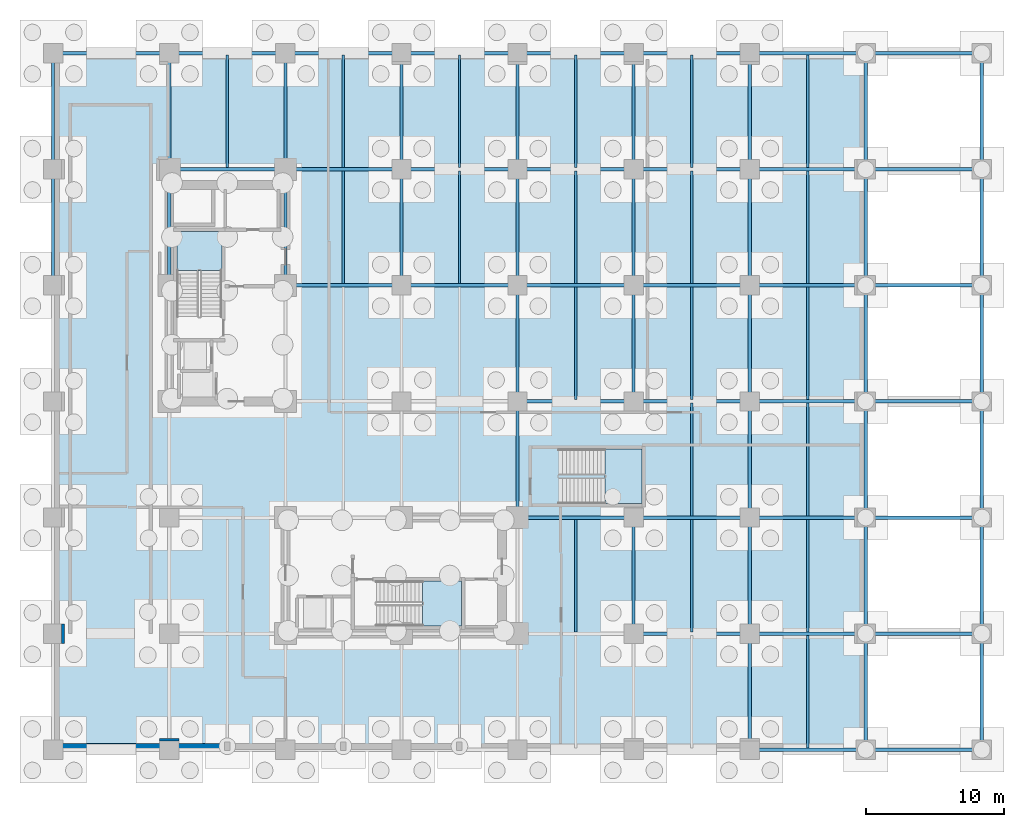
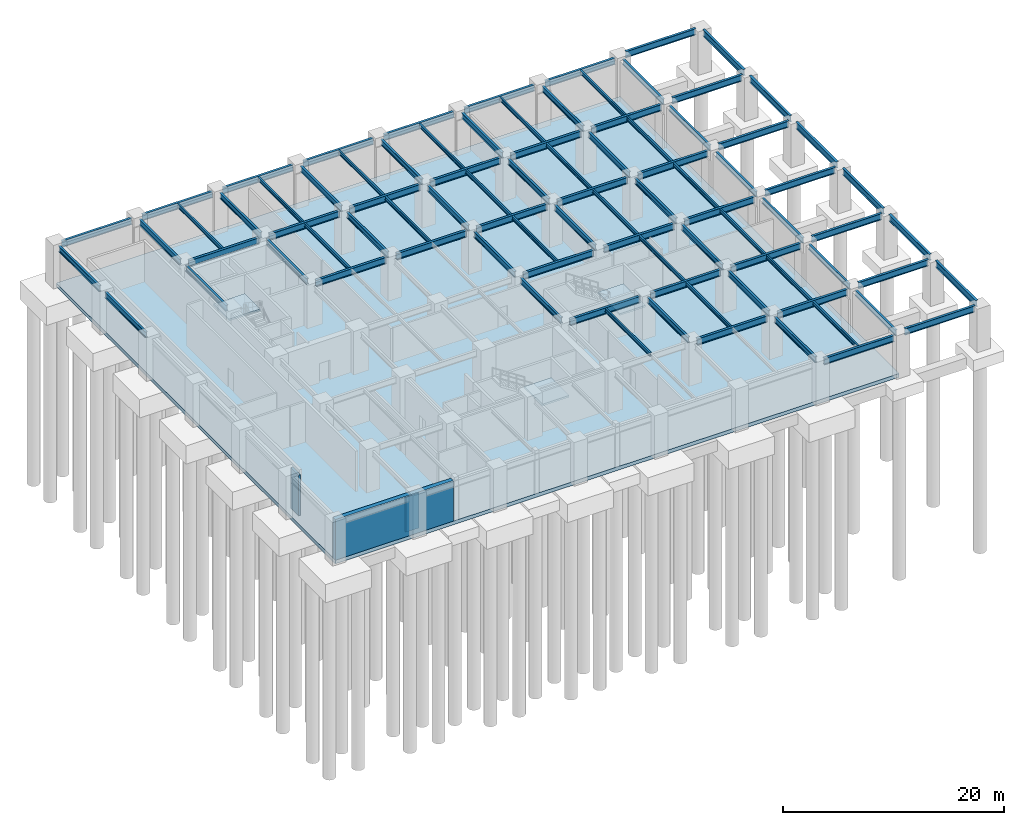
# One storey, part 4 of 9: 88 beams, 4 slabs, 3 walls, 3 elements without a shape of their own.
"""IFC4 building model written with IfcOpenShell, lengths in metres."""

from ifc_helpers import new_model, si_unit, direction, frame, frame_2d, origin, origin_2d, place, context, subcontext, project, spatial, polyline, rectangle, i_section, outline, extrude, material, layer, layer_set, material_profile, profile_set, type_object, element, aggregate, save


model = new_model("IFC4")

# Units and contexts
model_context = context("Model", 3, precision=1e-05, world=origin(), true_north=direction((0.0, 1.0)))
body_context = subcontext(model_context, "Body", "Model", "MODEL_VIEW")
ifc_project = project(units=[si_unit("LENGTHUNIT", "METRE"), si_unit("AREAUNIT", "SQUARE_METRE"), si_unit("VOLUMEUNIT", "CUBIC_METRE"), si_unit("PLANEANGLEUNIT", "RADIAN"), si_unit("MASSUNIT", "GRAM", prefix="KILO")], contexts=[model_context])

# Site, building, storey
site_placement = place(None, origin())
site = spatial("IfcSite", under=ifc_project, at=site_placement, CompositionType="ELEMENT")
building_placement = place(site_placement, origin())
building = spatial("IfcBuilding", under=site, at=building_placement, Name="Nerrivon Quay Data Exchange", CompositionType="ELEMENT")
storey_placement = place(building_placement, frame((0.0, 0.0, -9.60009765625)))
storey = spatial("IfcBuildingStorey", under=building, at=storey_placement, Name="B02", CompositionType="ELEMENT", Elevation=-9.60009765625)

# Beams
ifc_material_1 = material(Name="Steel Grade 350", Category="steel")
ifc_material_profile_1 = material_profile(ifc_material_1, i_section(OverallWidth=0.22900390625, OverallDepth=0.612060546875, WebThickness=0.011962890625, FlangeThickness=0.01953125, FilletRadius=0.013916015625, at=origin_2d()), Name="610UB125")
ifc_profile_set_1 = profile_set([ifc_material_profile_1], Name="Steel Grade 350")
beam_type_1 = type_object("IfcBeamType", Name="BM-G1-610UB125", PredefinedType="BEAM", material=ifc_profile_set_1)
for number, where, z_axis, x_axis, name in (
    (1, (0.0, 34.139892578125, 4.174072265625), (0.0, 1.0, 0.0), (-1.0, 0.0, 0.0), "B02 NS Girder X=0.0 (33.6..42.0)"),
    (2, (0.0, 42.5400390625, 4.174072265625), (0.0, 1.0, 0.0), (-1.0, 0.0, 0.0), "B02 NS Girder X=0.0 (42.0..50.4)"),
    (3, (8.39990234375, 34.139892578125, 4.174072265625), (0.0, 1.0, 0.0), (-1.0, 0.0, 0.0), "B02 NS Girder X=8.4 (33.6..42.0)"),
    (4, (8.39990234375, 42.5400390625, 4.174072265625), (0.0, 1.0, 0.0), (-1.0, 0.0, 0.0), "B02 NS Girder X=8.4 (42.0..50.4)"),
    (5, (16.800048828125, 34.139892578125, 4.174072265625), (0.0, 1.0, 0.0), (-1.0, 0.0, 0.0), "B02 NS Girder X=16.8 (33.6..42.0)"),
    (6, (16.800048828125, 42.5400390625, 4.174072265625), (0.0, 1.0, 0.0), (-1.0, 0.0, 0.0), "B02 NS Girder X=16.8 (42.0..50.4)"),
    (7, (25.199951171875, 34.139892578125, 4.174072265625), (0.0, 1.0, 0.0), (-1.0, 0.0, 0.0), "B02 NS Girder X=25.2 (33.6..42.0)"),
    (8, (25.199951171875, 42.5400390625, 4.174072265625), (0.0, 1.0, 0.0), (-1.0, 0.0, 0.0), "B02 NS Girder X=25.2 (42.0..50.4)"),
):
    element("IfcBeam", number, at=place(storey_placement, frame(where, z_axis=z_axis, x_axis=x_axis)), inside=storey, type_object=beam_type_1, Name=name, PredefinedType="BEAM", context=body_context, shape_type="SweptSolid", body=[
        extrude(i_section(OverallWidth=0.22900390625, OverallDepth=0.612060546875, WebThickness=0.011962890625, FlangeThickness=0.01953125, FilletRadius=0.013916015625, at=origin_2d()), origin(), (0.0, 0.0, 1.0), 7.320068359375),
    ])
beam_1_placement = place(storey_placement, frame((33.60009765625, 17.340087890625, 4.174072265625), z_axis=(0.0, 1.0, 0.0), x_axis=(-1.0, 0.0, 0.0)))
element("IfcBeam", 9, at=beam_1_placement, inside=storey, type_object=beam_type_1, Name="B02 NS Girder X=33.6 (16.8..25.2)", PredefinedType="BEAM", context=body_context, shape_type="SweptSolid", body=[
    extrude(i_section(OverallWidth=0.22900390625, OverallDepth=0.612060546875, WebThickness=0.011962890625, FlangeThickness=0.01953125, FilletRadius=0.013916015625, at=origin_2d()), origin(), (0.0, 0.0, 1.0), 7.31982421875),
])
for number, where, z_axis, x_axis, name in (
    (10, (33.60009765625, 25.739990234375, 4.174072265625), (0.0, 1.0, 0.0), (-1.0, 0.0, 0.0), "B02 NS Girder X=33.6 (25.2..33.6)"),
    (11, (33.60009765625, 34.139892578125, 4.174072265625), (0.0, 1.0, 0.0), (-1.0, 0.0, 0.0), "B02 NS Girder X=33.6 (33.6..42.0)"),
    (12, (33.60009765625, 42.5400390625, 4.174072265625), (0.0, 1.0, 0.0), (-1.0, 0.0, 0.0), "B02 NS Girder X=33.6 (42.0..50.4)"),
    (13, (42.0, 8.93994140625, 4.174072265625), (0.0, 1.0, 0.0), (-1.0, 0.0, 0.0), "B02 NS Girder X=42.0 (8.4..16.8)"),
    (14, (42.0, 25.739990234375, 4.174072265625), (0.0, 1.0, 0.0), (-1.0, 0.0, 0.0), "B02 NS Girder X=42.0 (25.2..33.6)"),
    (15, (42.0, 34.139892578125, 4.174072265625), (0.0, 1.0, 0.0), (-1.0, 0.0, 0.0), "B02 NS Girder X=42.0 (33.6..42.0)"),
    (16, (42.0, 42.5400390625, 4.174072265625), (0.0, 1.0, 0.0), (-1.0, 0.0, 0.0), "B02 NS Girder X=42.0 (42.0..50.4)"),
    (17, (50.39990234375, 0.5400390625, 4.174072265625), (0.0, 1.0, 0.0), (-1.0, 0.0, 0.0), "B02 NS Girder X=50.4 (0.0..8.4)"),
    (18, (50.39990234375, 8.93994140625, 4.174072265625), (0.0, 1.0, 0.0), (-1.0, 0.0, 0.0), "B02 NS Girder X=50.4 (8.4..16.8)"),
):
    element("IfcBeam", number, at=place(storey_placement, frame(where, z_axis=z_axis, x_axis=x_axis)), inside=storey, type_object=beam_type_1, Name=name, PredefinedType="BEAM", context=body_context, shape_type="SweptSolid", body=[
        extrude(i_section(OverallWidth=0.22900390625, OverallDepth=0.612060546875, WebThickness=0.011962890625, FlangeThickness=0.01953125, FilletRadius=0.013916015625, at=origin_2d()), origin(), (0.0, 0.0, 1.0), 7.320068359375),
    ])
beam_2_placement = place(storey_placement, frame((50.39990234375, 17.340087890625, 4.174072265625), z_axis=(0.0, 1.0, 0.0), x_axis=(-1.0, 0.0, 0.0)))
element("IfcBeam", 19, at=beam_2_placement, inside=storey, type_object=beam_type_1, Name="B02 NS Girder X=50.4 (16.8..25.2)", PredefinedType="BEAM", context=body_context, shape_type="SweptSolid", body=[
    extrude(i_section(OverallWidth=0.22900390625, OverallDepth=0.612060546875, WebThickness=0.011962890625, FlangeThickness=0.01953125, FilletRadius=0.013916015625, at=origin_2d()), origin(), (0.0, 0.0, 1.0), 7.31982421875),
])
for number, where, z_axis, x_axis, name in (
    (20, (50.39990234375, 25.739990234375, 4.174072265625), (0.0, 1.0, 0.0), (-1.0, 0.0, 0.0), "B02 NS Girder X=50.4 (25.2..33.6)"),
    (21, (50.39990234375, 34.139892578125, 4.174072265625), (0.0, 1.0, 0.0), (-1.0, 0.0, 0.0), "B02 NS Girder X=50.4 (33.6..42.0)"),
    (22, (50.39990234375, 42.5400390625, 4.174072265625), (0.0, 1.0, 0.0), (-1.0, 0.0, 0.0), "B02 NS Girder X=50.4 (42.0..50.4)"),
    (23, (58.800048828125, 0.5400390625, 4.174072265625), (0.0, 1.0, 0.0), (-1.0, 0.0, 0.0), "B02 NS Girder X=58.8 (0.0..8.4)"),
    (24, (58.800048828125, 8.93994140625, 4.174072265625), (0.0, 1.0, 0.0), (-1.0, 0.0, 0.0), "B02 NS Girder X=58.8 (8.4..16.8)"),
):
    element("IfcBeam", number, at=place(storey_placement, frame(where, z_axis=z_axis, x_axis=x_axis)), inside=storey, type_object=beam_type_1, Name=name, PredefinedType="BEAM", context=body_context, shape_type="SweptSolid", body=[
        extrude(i_section(OverallWidth=0.22900390625, OverallDepth=0.612060546875, WebThickness=0.011962890625, FlangeThickness=0.01953125, FilletRadius=0.013916015625, at=origin_2d()), origin(), (0.0, 0.0, 1.0), 7.320068359375),
    ])
beam_3_placement = place(storey_placement, frame((58.800048828125, 17.340087890625, 4.174072265625), z_axis=(0.0, 1.0, 0.0), x_axis=(-1.0, 0.0, 0.0)))
element("IfcBeam", 25, at=beam_3_placement, inside=storey, type_object=beam_type_1, Name="B02 NS Girder X=58.8 (16.8..25.2)", PredefinedType="BEAM", context=body_context, shape_type="SweptSolid", body=[
    extrude(i_section(OverallWidth=0.22900390625, OverallDepth=0.612060546875, WebThickness=0.011962890625, FlangeThickness=0.01953125, FilletRadius=0.013916015625, at=origin_2d()), origin(), (0.0, 0.0, 1.0), 7.31982421875),
])
for number, where, z_axis, x_axis, name in (
    (26, (58.800048828125, 25.739990234375, 4.174072265625), (0.0, 1.0, 0.0), (-1.0, 0.0, 0.0), "B02 NS Girder X=58.8 (25.2..33.6)"),
    (27, (58.800048828125, 34.139892578125, 4.174072265625), (0.0, 1.0, 0.0), (-1.0, 0.0, 0.0), "B02 NS Girder X=58.8 (33.6..42.0)"),
    (28, (58.800048828125, 42.5400390625, 4.174072265625), (0.0, 1.0, 0.0), (-1.0, 0.0, 0.0), "B02 NS Girder X=58.8 (42.0..50.4)"),
):
    element("IfcBeam", number, at=place(storey_placement, frame(where, z_axis=z_axis, x_axis=x_axis)), inside=storey, type_object=beam_type_1, Name=name, PredefinedType="BEAM", context=body_context, shape_type="SweptSolid", body=[
        extrude(i_section(OverallWidth=0.22900390625, OverallDepth=0.612060546875, WebThickness=0.011962890625, FlangeThickness=0.01953125, FilletRadius=0.013916015625, at=origin_2d()), origin(), (0.0, 0.0, 1.0), 7.320068359375),
    ])
ifc_material_profile_2 = material_profile(ifc_material_1, i_section(OverallWidth=0.25, OverallDepth=0.699951171875, WebThickness=0.010009765625, FlangeThickness=0.02001953125, at=origin_2d()), Name="700WB130")
ifc_profile_set_2 = profile_set([ifc_material_profile_2], Name="Steel Grade 350")
beam_type_2 = type_object("IfcBeamType", Name="BM-G7-700WB130", PredefinedType="BEAM", material=ifc_profile_set_2)
for number, where, z_axis, x_axis, name in (
    (29, (50.93994140625, 0.0, 4.130126953125), (1.0, 0.0, 0.0), (0.0, 1.0, 0.0), "B02 EW Girder Y=0.0 (50.4..58.8)"),
    (30, (42.5400390625, 8.39990234375, 4.130126953125), (1.0, 0.0, 0.0), (0.0, 1.0, 0.0), "B02 EW Girder Y=8.4 (42.0..50.4)"),
    (31, (50.93994140625, 8.39990234375, 4.130126953125), (1.0, 0.0, 0.0), (0.0, 1.0, 0.0), "B02 EW Girder Y=8.4 (50.4..58.8)"),
    (32, (34.139892578125, 16.800048828125, 4.130126953125), (1.0, 0.0, 0.0), (0.0, 1.0, 0.0), "B02 EW Girder Y=16.8 (33.6..42.0)"),
    (33, (42.5400390625, 16.800048828125, 4.130126953125), (1.0, 0.0, 0.0), (0.0, 1.0, 0.0), "B02 EW Girder Y=16.8 (42.0..50.4)"),
    (34, (50.93994140625, 16.800048828125, 4.130126953125), (1.0, 0.0, 0.0), (0.0, 1.0, 0.0), "B02 EW Girder Y=16.8 (50.4..58.8)"),
    (35, (34.139892578125, 25.199951171875, 4.130126953125), (1.0, 0.0, 0.0), (0.0, 1.0, 0.0), "B02 EW Girder Y=25.2 (33.6..42.0)"),
    (36, (42.5400390625, 25.199951171875, 4.130126953125), (1.0, 0.0, 0.0), (0.0, 1.0, 0.0), "B02 EW Girder Y=25.2 (42.0..50.4)"),
    (37, (50.93994140625, 25.199951171875, 4.130126953125), (1.0, 0.0, 0.0), (0.0, 1.0, 0.0), "B02 EW Girder Y=25.2 (50.4..58.8)"),
):
    element("IfcBeam", number, at=place(storey_placement, frame(where, z_axis=z_axis, x_axis=x_axis)), inside=storey, type_object=beam_type_2, Name=name, PredefinedType="BEAM", context=body_context, shape_type="SweptSolid", body=[
        extrude(i_section(OverallWidth=0.25, OverallDepth=0.699951171875, WebThickness=0.010009765625, FlangeThickness=0.02001953125, at=origin_2d()), origin(), (0.0, 0.0, 1.0), 7.320068359375),
    ])
beam_4_placement = place(storey_placement, frame((17.340087890625, 33.60009765625, 4.130126953125), z_axis=(1.0, 0.0, 0.0), x_axis=(0.0, 1.0, 0.0)))
element("IfcBeam", 38, at=beam_4_placement, inside=storey, type_object=beam_type_2, Name="B02 EW Girder Y=33.6 (16.8..25.2)", PredefinedType="BEAM", context=body_context, shape_type="SweptSolid", body=[
    extrude(i_section(OverallWidth=0.25, OverallDepth=0.699951171875, WebThickness=0.010009765625, FlangeThickness=0.02001953125, at=origin_2d()), origin(), (0.0, 0.0, 1.0), 7.31982421875),
])
for number, where, z_axis, x_axis, name in (
    (39, (25.739990234375, 33.60009765625, 4.130126953125), (1.0, 0.0, 0.0), (0.0, 1.0, 0.0), "B02 EW Girder Y=33.6 (25.2..33.6)"),
    (40, (34.139892578125, 33.60009765625, 4.130126953125), (1.0, 0.0, 0.0), (0.0, 1.0, 0.0), "B02 EW Girder Y=33.6 (33.6..42.0)"),
    (41, (42.5400390625, 33.60009765625, 4.130126953125), (1.0, 0.0, 0.0), (0.0, 1.0, 0.0), "B02 EW Girder Y=33.6 (42.0..50.4)"),
    (42, (50.93994140625, 33.60009765625, 4.130126953125), (1.0, 0.0, 0.0), (0.0, 1.0, 0.0), "B02 EW Girder Y=33.6 (50.4..58.8)"),
    (43, (8.93994140625, 42.0, 4.130126953125), (1.0, 0.0, 0.0), (0.0, 1.0, 0.0), "B02 EW Girder Y=42.0 (8.4..16.8)"),
):
    element("IfcBeam", number, at=place(storey_placement, frame(where, z_axis=z_axis, x_axis=x_axis)), inside=storey, type_object=beam_type_2, Name=name, PredefinedType="BEAM", context=body_context, shape_type="SweptSolid", body=[
        extrude(i_section(OverallWidth=0.25, OverallDepth=0.699951171875, WebThickness=0.010009765625, FlangeThickness=0.02001953125, at=origin_2d()), origin(), (0.0, 0.0, 1.0), 7.320068359375),
    ])
beam_5_placement = place(storey_placement, frame((17.340087890625, 42.0, 4.130126953125), z_axis=(1.0, 0.0, 0.0), x_axis=(0.0, 1.0, 0.0)))
element("IfcBeam", 44, at=beam_5_placement, inside=storey, type_object=beam_type_2, Name="B02 EW Girder Y=42.0 (16.8..25.2)", PredefinedType="BEAM", context=body_context, shape_type="SweptSolid", body=[
    extrude(i_section(OverallWidth=0.25, OverallDepth=0.699951171875, WebThickness=0.010009765625, FlangeThickness=0.02001953125, at=origin_2d()), origin(), (0.0, 0.0, 1.0), 7.31982421875),
])
for number, where, z_axis, x_axis, name in (
    (45, (25.739990234375, 42.0, 4.130126953125), (1.0, 0.0, 0.0), (0.0, 1.0, 0.0), "B02 EW Girder Y=42.0 (25.2..33.6)"),
    (46, (34.139892578125, 42.0, 4.130126953125), (1.0, 0.0, 0.0), (0.0, 1.0, 0.0), "B02 EW Girder Y=42.0 (33.6..42.0)"),
    (47, (42.5400390625, 42.0, 4.130126953125), (1.0, 0.0, 0.0), (0.0, 1.0, 0.0), "B02 EW Girder Y=42.0 (42.0..50.4)"),
    (48, (50.93994140625, 42.0, 4.130126953125), (1.0, 0.0, 0.0), (0.0, 1.0, 0.0), "B02 EW Girder Y=42.0 (50.4..58.8)"),
    (49, (0.5400390625, 50.39990234375, 4.130126953125), (1.0, 0.0, 0.0), (0.0, 1.0, 0.0), "B02 EW Girder Y=50.4 (0.0..8.4)"),
    (50, (8.93994140625, 50.39990234375, 4.130126953125), (1.0, 0.0, 0.0), (0.0, 1.0, 0.0), "B02 EW Girder Y=50.4 (8.4..16.8)"),
):
    element("IfcBeam", number, at=place(storey_placement, frame(where, z_axis=z_axis, x_axis=x_axis)), inside=storey, type_object=beam_type_2, Name=name, PredefinedType="BEAM", context=body_context, shape_type="SweptSolid", body=[
        extrude(i_section(OverallWidth=0.25, OverallDepth=0.699951171875, WebThickness=0.010009765625, FlangeThickness=0.02001953125, at=origin_2d()), origin(), (0.0, 0.0, 1.0), 7.320068359375),
    ])
beam_6_placement = place(storey_placement, frame((17.340087890625, 50.39990234375, 4.130126953125), z_axis=(1.0, 0.0, 0.0), x_axis=(0.0, 1.0, 0.0)))
element("IfcBeam", 51, at=beam_6_placement, inside=storey, type_object=beam_type_2, Name="B02 EW Girder Y=50.4 (16.8..25.2)", PredefinedType="BEAM", context=body_context, shape_type="SweptSolid", body=[
    extrude(i_section(OverallWidth=0.25, OverallDepth=0.699951171875, WebThickness=0.010009765625, FlangeThickness=0.02001953125, at=origin_2d()), origin(), (0.0, 0.0, 1.0), 7.31982421875),
])
for number, where, z_axis, x_axis, name in (
    (52, (25.739990234375, 50.39990234375, 4.130126953125), (1.0, 0.0, 0.0), (0.0, 1.0, 0.0), "B02 EW Girder Y=50.4 (25.2..33.6)"),
    (53, (34.139892578125, 50.39990234375, 4.130126953125), (1.0, 0.0, 0.0), (0.0, 1.0, 0.0), "B02 EW Girder Y=50.4 (33.6..42.0)"),
    (54, (42.5400390625, 50.39990234375, 4.130126953125), (1.0, 0.0, 0.0), (0.0, 1.0, 0.0), "B02 EW Girder Y=50.4 (42.0..50.4)"),
    (55, (50.93994140625, 50.39990234375, 4.130126953125), (1.0, 0.0, 0.0), (0.0, 1.0, 0.0), "B02 EW Girder Y=50.4 (50.4..58.8)"),
):
    element("IfcBeam", number, at=place(storey_placement, frame(where, z_axis=z_axis, x_axis=x_axis)), inside=storey, type_object=beam_type_2, Name=name, PredefinedType="BEAM", context=body_context, shape_type="SweptSolid", body=[
        extrude(i_section(OverallWidth=0.25, OverallDepth=0.699951171875, WebThickness=0.010009765625, FlangeThickness=0.02001953125, at=origin_2d()), origin(), (0.0, 0.0, 1.0), 7.320068359375),
    ])
for number, where, z_axis, x_axis, name in (
    (56, (59.340087890625, 0.0, 4.4501953125), (1.0, 0.0, 0.0), (0.0, 1.0, 0.0), "B02 Promenade Tie Girder Y=0.0"),
    (57, (59.340087890625, 8.39990234375, 4.4501953125), (1.0, 0.0, 0.0), (0.0, 1.0, 0.0), "B02 Promenade Tie Girder Y=8.4"),
    (58, (59.340087890625, 16.800048828125, 4.4501953125), (1.0, 0.0, 0.0), (0.0, 1.0, 0.0), "B02 Promenade Tie Girder Y=16.8"),
    (59, (59.340087890625, 25.199951171875, 4.4501953125), (1.0, 0.0, 0.0), (0.0, 1.0, 0.0), "B02 Promenade Tie Girder Y=25.2"),
    (60, (59.340087890625, 33.60009765625, 4.4501953125), (1.0, 0.0, 0.0), (0.0, 1.0, 0.0), "B02 Promenade Tie Girder Y=33.6"),
    (61, (59.340087890625, 42.0, 4.4501953125), (1.0, 0.0, 0.0), (0.0, 1.0, 0.0), "B02 Promenade Tie Girder Y=42.0"),
    (62, (59.340087890625, 50.39990234375, 4.4501953125), (1.0, 0.0, 0.0), (0.0, 1.0, 0.0), "B02 Promenade Tie Girder Y=50.4"),
):
    element("IfcBeam", number, at=place(storey_placement, frame(where, z_axis=z_axis, x_axis=x_axis)), inside=storey, type_object=beam_type_2, Name=name, PredefinedType="BEAM", context=body_context, shape_type="SweptSolid", body=[
        extrude(i_section(OverallWidth=0.25, OverallDepth=0.699951171875, WebThickness=0.010009765625, FlangeThickness=0.02001953125, at=origin_2d()), origin(), (0.0, 0.0, 1.0), 7.31982421875),
    ])
for number, where, z_axis, x_axis, name in (
    (63, (67.199951171875, 0.5400390625, 4.4501953125), (0.0, 1.0, 0.0), (-1.0, 0.0, 0.0), "B02 Promenade Edge Girder (0.0..8.4)"),
    (64, (67.199951171875, 8.93994140625, 4.4501953125), (0.0, 1.0, 0.0), (-1.0, 0.0, 0.0), "B02 Promenade Edge Girder (8.4..16.8)"),
):
    element("IfcBeam", number, at=place(storey_placement, frame(where, z_axis=z_axis, x_axis=x_axis)), inside=storey, type_object=beam_type_2, Name=name, PredefinedType="BEAM", context=body_context, shape_type="SweptSolid", body=[
        extrude(i_section(OverallWidth=0.25, OverallDepth=0.699951171875, WebThickness=0.010009765625, FlangeThickness=0.02001953125, at=origin_2d()), origin(), (0.0, 0.0, 1.0), 7.320068359375),
    ])
beam_7_placement = place(storey_placement, frame((67.199951171875, 17.340087890625, 4.4501953125), z_axis=(0.0, 1.0, 0.0), x_axis=(-1.0, 0.0, 0.0)))
element("IfcBeam", 65, at=beam_7_placement, inside=storey, type_object=beam_type_2, Name="B02 Promenade Edge Girder (16.8..25.2)", PredefinedType="BEAM", context=body_context, shape_type="SweptSolid", body=[
    extrude(i_section(OverallWidth=0.25, OverallDepth=0.699951171875, WebThickness=0.010009765625, FlangeThickness=0.02001953125, at=origin_2d()), origin(), (0.0, 0.0, 1.0), 7.31982421875),
])
for number, where, z_axis, x_axis, name in (
    (66, (67.199951171875, 25.739990234375, 4.4501953125), (0.0, 1.0, 0.0), (-1.0, 0.0, 0.0), "B02 Promenade Edge Girder (25.2..33.6)"),
    (67, (67.199951171875, 34.139892578125, 4.4501953125), (0.0, 1.0, 0.0), (-1.0, 0.0, 0.0), "B02 Promenade Edge Girder (33.6..42.0)"),
    (68, (67.199951171875, 42.5400390625, 4.4501953125), (0.0, 1.0, 0.0), (-1.0, 0.0, 0.0), "B02 Promenade Edge Girder (42.0..50.4)"),
):
    element("IfcBeam", number, at=place(storey_placement, frame(where, z_axis=z_axis, x_axis=x_axis)), inside=storey, type_object=beam_type_2, Name=name, PredefinedType="BEAM", context=body_context, shape_type="SweptSolid", body=[
        extrude(i_section(OverallWidth=0.25, OverallDepth=0.699951171875, WebThickness=0.010009765625, FlangeThickness=0.02001953125, at=origin_2d()), origin(), (0.0, 0.0, 1.0), 7.320068359375),
    ])
ifc_material_profile_3 = material_profile(ifc_material_1, i_section(OverallWidth=0.177978515625, OverallDepth=0.406005859375, WebThickness=0.0078125, FlangeThickness=0.0126953125, FilletRadius=0.011474609375, at=origin_2d()), Name="410UB59.7")
ifc_profile_set_3 = profile_set([ifc_material_profile_3], Name="Steel Grade 350")
beam_type_3 = type_object("IfcBeamType", Name="BM-J1-410UB60", PredefinedType="JOIST", material=ifc_profile_set_3)
for number, where, z_axis, x_axis, name in (
    (69, (12.60009765625, 42.125, 4.277099609375), (0.0, 1.0, 0.0), (-1.0, 0.0, 0.0), "B02 Secondary Joist X=12.6 (42.0..50.4)"),
    (70, (21.0, 33.72509765625, 4.277099609375), (0.0, 1.0, 0.0), (-1.0, 0.0, 0.0), "B02 Secondary Joist X=21.0 (33.6..42.0)"),
    (71, (21.0, 42.125, 4.277099609375), (0.0, 1.0, 0.0), (-1.0, 0.0, 0.0), "B02 Secondary Joist X=21.0 (42.0..50.4)"),
    (72, (29.39990234375, 33.72509765625, 4.277099609375), (0.0, 1.0, 0.0), (-1.0, 0.0, 0.0), "B02 Secondary Joist X=29.4 (33.6..42.0)"),
    (73, (29.39990234375, 42.125, 4.277099609375), (0.0, 1.0, 0.0), (-1.0, 0.0, 0.0), "B02 Secondary Joist X=29.4 (42.0..50.4)"),
):
    element("IfcBeam", number, at=place(storey_placement, frame(where, z_axis=z_axis, x_axis=x_axis)), inside=storey, type_object=beam_type_3, Name=name, PredefinedType="JOIST", context=body_context, shape_type="SweptSolid", body=[
        extrude(i_section(OverallWidth=0.177978515625, OverallDepth=0.406005859375, WebThickness=0.0078125, FlangeThickness=0.0126953125, FilletRadius=0.011474609375, at=origin_2d()), origin(), (0.0, 0.0, 1.0), 8.14990234375),
    ])
for number, where, z_axis, x_axis, name in (
    (74, (37.800048828125, 8.52490234375, 4.277099609375), (0.0, 1.0, 0.0), (-1.0, 0.0, 0.0), "B02 Secondary Joist X=37.8 (8.4..16.8)"),
    (75, (37.800048828125, 25.324951171875, 4.277099609375), (0.0, 1.0, 0.0), (-1.0, 0.0, 0.0), "B02 Secondary Joist X=37.8 (25.2..33.6)"),
):
    element("IfcBeam", number, at=place(storey_placement, frame(where, z_axis=z_axis, x_axis=x_axis)), inside=storey, type_object=beam_type_3, Name=name, PredefinedType="JOIST", context=body_context, shape_type="SweptSolid", body=[
        extrude(i_section(OverallWidth=0.177978515625, OverallDepth=0.406005859375, WebThickness=0.0078125, FlangeThickness=0.0126953125, FilletRadius=0.011474609375, at=origin_2d()), origin(), (0.0, 0.0, 1.0), 8.150146484375),
    ])
for number, where, z_axis, x_axis, name in (
    (76, (37.800048828125, 33.72509765625, 4.277099609375), (0.0, 1.0, 0.0), (-1.0, 0.0, 0.0), "B02 Secondary Joist X=37.8 (33.6..42.0)"),
    (77, (37.800048828125, 42.125, 4.277099609375), (0.0, 1.0, 0.0), (-1.0, 0.0, 0.0), "B02 Secondary Joist X=37.8 (42.0..50.4)"),
):
    element("IfcBeam", number, at=place(storey_placement, frame(where, z_axis=z_axis, x_axis=x_axis)), inside=storey, type_object=beam_type_3, Name=name, PredefinedType="JOIST", context=body_context, shape_type="SweptSolid", body=[
        extrude(i_section(OverallWidth=0.177978515625, OverallDepth=0.406005859375, WebThickness=0.0078125, FlangeThickness=0.0126953125, FilletRadius=0.011474609375, at=origin_2d()), origin(), (0.0, 0.0, 1.0), 8.14990234375),
    ])
beam_8_placement = place(storey_placement, frame((46.199951171875, 8.52490234375, 4.277099609375), z_axis=(0.0, 1.0, 0.0), x_axis=(-1.0, 0.0, 0.0)))
element("IfcBeam", 78, at=beam_8_placement, inside=storey, type_object=beam_type_3, Name="B02 Secondary Joist X=46.2 (8.4..16.8)", PredefinedType="JOIST", context=body_context, shape_type="SweptSolid", body=[
    extrude(i_section(OverallWidth=0.177978515625, OverallDepth=0.406005859375, WebThickness=0.0078125, FlangeThickness=0.0126953125, FilletRadius=0.011474609375, at=origin_2d()), origin(), (0.0, 0.0, 1.0), 8.150146484375),
])
beam_9_placement = place(storey_placement, frame((46.199951171875, 16.925048828125, 4.277099609375), z_axis=(0.0, 1.0, 0.0), x_axis=(-1.0, 0.0, 0.0)))
element("IfcBeam", 79, at=beam_9_placement, inside=storey, type_object=beam_type_3, Name="B02 Secondary Joist X=46.2 (16.8..25.2)", PredefinedType="JOIST", context=body_context, shape_type="SweptSolid", body=[
    extrude(i_section(OverallWidth=0.177978515625, OverallDepth=0.406005859375, WebThickness=0.0078125, FlangeThickness=0.0126953125, FilletRadius=0.011474609375, at=origin_2d()), origin(), (0.0, 0.0, 1.0), 8.14990234375),
])
beam_10_placement = place(storey_placement, frame((46.199951171875, 25.324951171875, 4.277099609375), z_axis=(0.0, 1.0, 0.0), x_axis=(-1.0, 0.0, 0.0)))
element("IfcBeam", 80, at=beam_10_placement, inside=storey, type_object=beam_type_3, Name="B02 Secondary Joist X=46.2 (25.2..33.6)", PredefinedType="JOIST", context=body_context, shape_type="SweptSolid", body=[
    extrude(i_section(OverallWidth=0.177978515625, OverallDepth=0.406005859375, WebThickness=0.0078125, FlangeThickness=0.0126953125, FilletRadius=0.011474609375, at=origin_2d()), origin(), (0.0, 0.0, 1.0), 8.150146484375),
])
for number, where, z_axis, x_axis, name in (
    (81, (46.199951171875, 33.72509765625, 4.277099609375), (0.0, 1.0, 0.0), (-1.0, 0.0, 0.0), "B02 Secondary Joist X=46.2 (33.6..42.0)"),
    (82, (46.199951171875, 42.125, 4.277099609375), (0.0, 1.0, 0.0), (-1.0, 0.0, 0.0), "B02 Secondary Joist X=46.2 (42.0..50.4)"),
    (83, (54.60009765625, 0.125, 4.277099609375), (0.0, 1.0, 0.0), (-1.0, 0.0, 0.0), "B02 Secondary Joist X=54.6 (0.0..8.4)"),
):
    element("IfcBeam", number, at=place(storey_placement, frame(where, z_axis=z_axis, x_axis=x_axis)), inside=storey, type_object=beam_type_3, Name=name, PredefinedType="JOIST", context=body_context, shape_type="SweptSolid", body=[
        extrude(i_section(OverallWidth=0.177978515625, OverallDepth=0.406005859375, WebThickness=0.0078125, FlangeThickness=0.0126953125, FilletRadius=0.011474609375, at=origin_2d()), origin(), (0.0, 0.0, 1.0), 8.14990234375),
    ])
beam_11_placement = place(storey_placement, frame((54.60009765625, 8.52490234375, 4.277099609375), z_axis=(0.0, 1.0, 0.0), x_axis=(-1.0, 0.0, 0.0)))
element("IfcBeam", 84, at=beam_11_placement, inside=storey, type_object=beam_type_3, Name="B02 Secondary Joist X=54.6 (8.4..16.8)", PredefinedType="JOIST", context=body_context, shape_type="SweptSolid", body=[
    extrude(i_section(OverallWidth=0.177978515625, OverallDepth=0.406005859375, WebThickness=0.0078125, FlangeThickness=0.0126953125, FilletRadius=0.011474609375, at=origin_2d()), origin(), (0.0, 0.0, 1.0), 8.150146484375),
])
beam_12_placement = place(storey_placement, frame((54.60009765625, 16.925048828125, 4.277099609375), z_axis=(0.0, 1.0, 0.0), x_axis=(-1.0, 0.0, 0.0)))
element("IfcBeam", 85, at=beam_12_placement, inside=storey, type_object=beam_type_3, Name="B02 Secondary Joist X=54.6 (16.8..25.2)", PredefinedType="JOIST", context=body_context, shape_type="SweptSolid", body=[
    extrude(i_section(OverallWidth=0.177978515625, OverallDepth=0.406005859375, WebThickness=0.0078125, FlangeThickness=0.0126953125, FilletRadius=0.011474609375, at=origin_2d()), origin(), (0.0, 0.0, 1.0), 8.14990234375),
])
beam_13_placement = place(storey_placement, frame((54.60009765625, 25.324951171875, 4.277099609375), z_axis=(0.0, 1.0, 0.0), x_axis=(-1.0, 0.0, 0.0)))
element("IfcBeam", 86, at=beam_13_placement, inside=storey, type_object=beam_type_3, Name="B02 Secondary Joist X=54.6 (25.2..33.6)", PredefinedType="JOIST", context=body_context, shape_type="SweptSolid", body=[
    extrude(i_section(OverallWidth=0.177978515625, OverallDepth=0.406005859375, WebThickness=0.0078125, FlangeThickness=0.0126953125, FilletRadius=0.011474609375, at=origin_2d()), origin(), (0.0, 0.0, 1.0), 8.150146484375),
])
for number, where, z_axis, x_axis, name in (
    (87, (54.60009765625, 33.72509765625, 4.277099609375), (0.0, 1.0, 0.0), (-1.0, 0.0, 0.0), "B02 Secondary Joist X=54.6 (33.6..42.0)"),
    (88, (54.60009765625, 42.125, 4.277099609375), (0.0, 1.0, 0.0), (-1.0, 0.0, 0.0), "B02 Secondary Joist X=54.6 (42.0..50.4)"),
):
    element("IfcBeam", number, at=place(storey_placement, frame(where, z_axis=z_axis, x_axis=x_axis)), inside=storey, type_object=beam_type_3, Name=name, PredefinedType="JOIST", context=body_context, shape_type="SweptSolid", body=[
        extrude(i_section(OverallWidth=0.177978515625, OverallDepth=0.406005859375, WebThickness=0.0078125, FlangeThickness=0.0126953125, FilletRadius=0.011474609375, at=origin_2d()), origin(), (0.0, 0.0, 1.0), 8.14990234375),
    ])

# Slab
ifc_material_2 = material(Name="Concrete N50 (50 MPa)", Category="concrete")
ifc_layer_1 = layer(ifc_material_2, 0.39990234375)
ifc_layer_set_1 = layer_set([ifc_layer_1], Name="Concrete N50 (50 MPa)")
slab_type_1 = type_object("IfcSlabType", Name="SLB-BASE-400", PredefinedType="BASESLAB", material=ifc_layer_set_1)
slab_1_placement = place(storey_placement, frame((0.0, 0.0, -0.39990234375)))
element("IfcSlab", 89, at=slab_1_placement, inside=storey, type_object=slab_type_1, Name="B02 Primary Structural Slab", PredefinedType="BASESLAB", context=body_context, shape_type="SweptSolid", body=[
    extrude(outline(polyline([(58.800048828125, 0.0), (58.800048828125, 50.39990234375), (0.0, 50.39990234375), (0.0, 0.0), (58.800048828125, 0.0)])), origin(), (0.0, 0.0, 1.0), 0.39990234375),
])

# Stair, slab
stair_type = type_object("IfcStairType", Name="STAIR-DOG-48", PredefinedType="HALF_TURN_STAIR", material=ifc_material_2)
stair_1_placement = place(storey_placement, origin())
stair_1 = element("IfcStair", 90, at=stair_1_placement, inside=storey, type_object=stair_type, Name="B02 West Core Fire Stair ST01", PredefinedType="HALF_TURN_STAIR")
ifc_layer_2 = layer(ifc_material_2, 0.199951171875)
ifc_layer_set_2 = layer_set([ifc_layer_2], Name="Concrete N50 (50 MPa)")
slab_type_2 = type_object("IfcSlabType", Name="SLB-LAND-200", PredefinedType="LANDING", material=ifc_layer_set_2)
slab_2_placement = place(storey_placement, frame((0.0, 0.0, 2.2001953125)))
slab_2 = element("IfcSlab", 91, at=slab_2_placement, type_object=slab_type_2, Name="ST01 landing 1", PredefinedType="LANDING", context=body_context, shape_type="SweptSolid", body=[
    extrude(outline(polyline([(12.199951171875, 34.68994140625), (12.199951171875, 37.5), (8.949951171875, 37.5), (8.949951171875, 34.68994140625), (12.199951171875, 34.68994140625)])), origin(), (0.0, 0.0, 1.0), 0.199951171875),
])
aggregate(stair_1, [slab_2])

stair_2_placement = place(storey_placement, origin())
stair_2 = element("IfcStair", 92, at=stair_2_placement, inside=storey, type_object=stair_type, Name="B02 East Core Fire Stair ST02", PredefinedType="HALF_TURN_STAIR")
slab_3_placement = place(storey_placement, frame((0.0, 0.0, 2.2001953125)))
slab_3 = element("IfcSlab", 93, at=slab_3_placement, type_object=slab_type_2, Name="ST02 landing 1", PredefinedType="LANDING", context=body_context, shape_type="SweptSolid", body=[
    extrude(outline(polyline([(26.739990234375, 8.949951171875), (29.550048828125, 8.949951171875), (29.550048828125, 12.199951171875), (26.739990234375, 12.199951171875), (26.739990234375, 8.949951171875)])), origin(), (0.0, 0.0, 1.0), 0.199951171875),
])
aggregate(stair_2, [slab_3])

stair_3_placement = place(storey_placement, origin())
stair_3 = element("IfcStair", 94, at=stair_3_placement, inside=storey, type_object=stair_type, Name="B02 Podium Exit Stair ST03", PredefinedType="HALF_TURN_STAIR")
slab_4_placement = place(storey_placement, frame((0.0, 0.0, 2.2001953125)))
slab_4 = element("IfcSlab", 95, at=slab_4_placement, type_object=slab_type_2, Name="ST03 landing 1", PredefinedType="LANDING", context=body_context, shape_type="SweptSolid", body=[
    extrude(outline(polyline([(39.929931640625, 17.800048828125), (42.60009765625, 17.800048828125), (42.60009765625, 21.75), (39.929931640625, 21.75), (39.929931640625, 17.800048828125)])), origin(), (0.0, 0.0, 1.0), 0.199951171875),
])
aggregate(stair_3, [slab_4])

# Walls
ifc_material_3 = material(Name="Gypsum plasterboard on cold-formed framing", Category="gypsum")
ifc_layer_3 = layer(ifc_material_3, 0.199951171875)
ifc_layer_set_3 = layer_set([ifc_layer_3], Name="Gypsum plasterboard on cold-formed framing")
wall_type_1 = type_object("IfcWallType", Name="WALL-FW-200", PredefinedType="PARTITIONING", material=ifc_layer_set_3)
wall_1_placement = place(storey_placement, frame((0.719970703125, 9.10009765625, 0.0), z_axis=(0.0, 0.0, 1.0), x_axis=(0.0, -1.0, 0.0)))
element("IfcWall", 96, at=wall_1_placement, inside=storey, type_object=wall_type_1, Name="B02 Partition Standby Generator Hall", PredefinedType="PARTITIONING", context=body_context, shape_type="SweptSolid", body=[
    extrude(rectangle(XDim=1.400146484375, YDim=0.199951171875, at=frame_2d((0.7001953125, 0.0))), origin(), (0.0, 0.0, 1.0), 4.47998046875),
])
wall_2_placement = place(storey_placement, frame((7.699951171875, 0.719970703125, 0.0), z_axis=(0.0, 0.0, 1.0), x_axis=(1.0, 0.0, 0.0)))
element("IfcWall", 97, at=wall_2_placement, inside=storey, type_object=wall_type_1, Name="B02 Partition Standby Generator Hall", PredefinedType="PARTITIONING", context=body_context, shape_type="SweptSolid", body=[
    extrude(rectangle(XDim=1.400146484375, YDim=0.199951171875, at=frame_2d((0.7001953125, 0.0))), origin(), (0.0, 0.0, 1.0), 3.8681640625),
])
ifc_layer_4 = layer(ifc_material_2, 0.449951171875)
ifc_layer_set_4 = layer_set([ifc_layer_4], Name="Concrete N50 (50 MPa)")
wall_type_2 = type_object("IfcWallType", Name="WALL-RET-450", PredefinedType="SOLIDWALL", material=ifc_layer_set_4)
wall_3_placement = place(storey_placement, frame((0.0, 0.22509765625, 0.0), z_axis=(0.0, 0.0, 1.0), x_axis=(1.0, 0.0, 0.0)))
element("IfcWall", 98, at=wall_3_placement, inside=storey, type_object=wall_type_2, Name="B02 Perimeter Retaining Wall S1", PredefinedType="SOLIDWALL", context=body_context, shape_type="SweptSolid", body=[
    extrude(rectangle(XDim=12.300048828125, YDim=0.449951171875, at=frame_2d((6.14990234375, 0.0))), origin(), (0.0, 0.0, 1.0), 4.47998046875),
])

save(model, "model.ifc")
